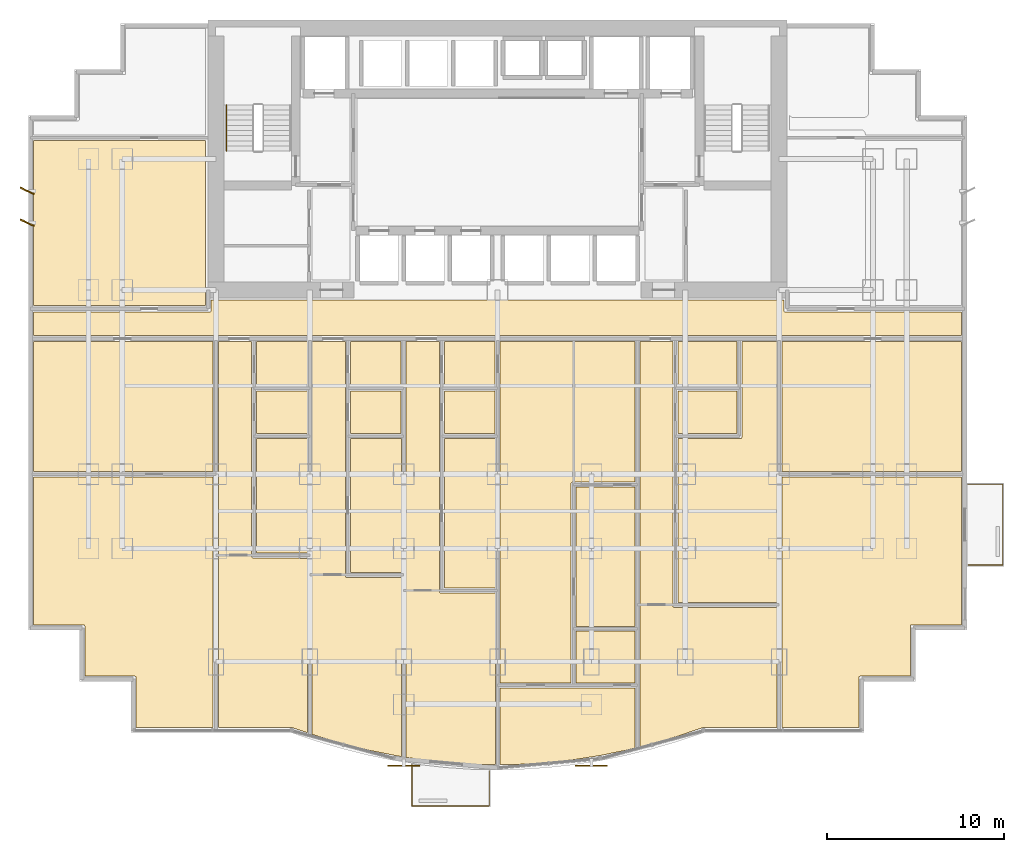
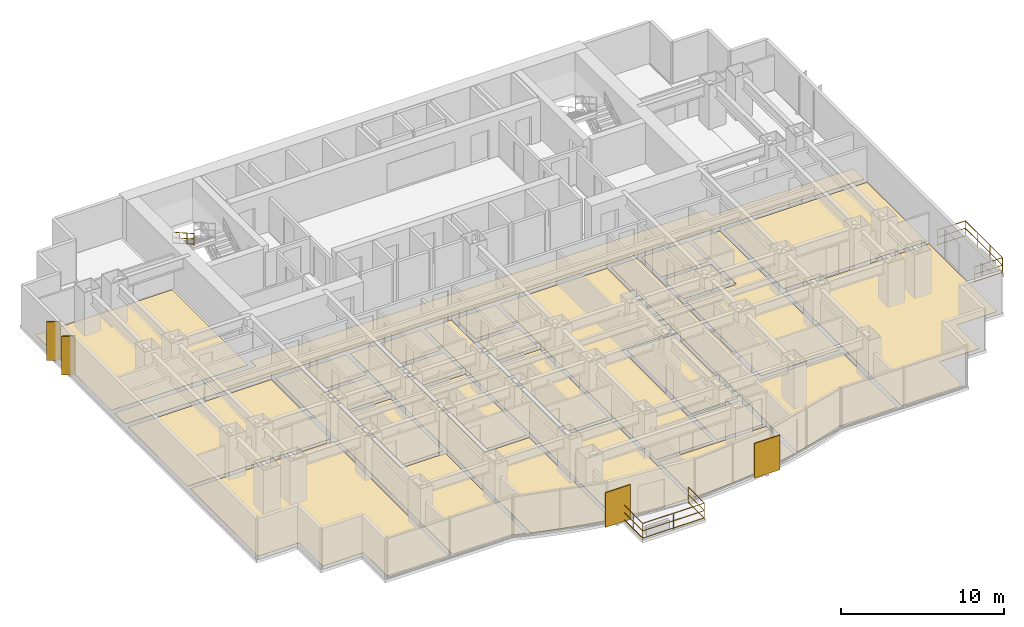
# One storey, part 9 of 10: 26 coverings, 4 shading devices, 3 railings.
"""IFC4 building model written with IfcOpenShell, lengths in metres."""

from ifc_helpers import new_model, si_unit, direction, frame, origin, origin_2d, place, context, subcontext, project, spatial, polyline, rectangle, circle, outline, extrude, source, transform, mapped, material, layer, layer_set, type_object, element, save


model = new_model("IFC4")

# Units and contexts
model_context = context("Model", 3, precision=1e-05, world=origin(), true_north=direction((0.0, 1.0)))
body_context = subcontext(model_context, "Body", "Model", "MODEL_VIEW")
ifc_project = project(units=[si_unit("LENGTHUNIT", "METRE"), si_unit("AREAUNIT", "SQUARE_METRE"), si_unit("VOLUMEUNIT", "CUBIC_METRE"), si_unit("PLANEANGLEUNIT", "RADIAN"), si_unit("MASSUNIT", "GRAM", prefix="KILO")], contexts=[model_context])

# Site, building, storey
site_placement = place(None, origin())
site = spatial("IfcSite", under=ifc_project, at=site_placement, CompositionType="ELEMENT")
building_placement = place(site_placement, origin())
building = spatial("IfcBuilding", under=site, at=building_placement, Name="Qianlan Lanfeng Residences", CompositionType="ELEMENT")
storey_placement = place(building_placement, frame((0.0, 0.0, 34.10009765625)))
storey = spatial("IfcBuildingStorey", under=building, at=storey_placement, Name="L08", CompositionType="ELEMENT", Elevation=34.10009765625)

# Coverings
ifc_material_1 = material(Name="Honed Taitung Granite Stone Flooring", Category="masonry")
ifc_layer_1 = layer(ifc_material_1, 0.030029296875)
ifc_layer_set_1 = layer_set([ifc_layer_1], Name="Honed Taitung Granite Stone Flooring")
covering_type_1 = type_object("IfcCoveringType", Name="FLR-STN-30", PredefinedType="FLOORING", material=ifc_layer_set_1)
covering_1_placement = place(storey_placement, origin())
element("IfcCovering", 1, at=covering_1_placement, inside=storey, type_object=covering_type_1, Name="L08 Residential Corridor Floor Finish", PredefinedType="FLOORING", context=body_context, shape_type="SweptSolid", body=[
    extrude(outline(polyline([(0.2900390625, 22.6298828125), (52.7099609375, 22.6298828125), (52.7099609375, 23.969970703125), (42.739990234375, 23.969970703125), (42.73291015625, 23.969970703125), (42.72607421875, 23.970947265625), (42.719970703125, 23.972900390625), (42.712890625, 23.97509765625), (42.70703125, 23.97802734375), (42.700927734375, 23.98193359375), (42.696044921875, 23.986083984375), (42.69091796875, 23.990966796875), (42.68603515625, 23.99609375), (42.681884765625, 24.0009765625), (42.677978515625, 24.007080078125), (42.675048828125, 24.012939453125), (42.673095703125, 24.02001953125), (42.6708984375, 24.02587890625), (42.669921875, 24.032958984375), (42.669921875, 24.0400390625), (42.669921875, 24.64990234375), (10.330078125, 24.64990234375), (10.330078125, 24.0400390625), (10.330078125, 24.032958984375), (10.3291015625, 24.02587890625), (10.326904296875, 24.02001953125), (10.324951171875, 24.012939453125), (10.322021484375, 24.007080078125), (10.318115234375, 24.0009765625), (10.31396484375, 23.99609375), (10.30908203125, 23.990966796875), (10.303955078125, 23.986083984375), (10.299072265625, 23.98193359375), (10.29296875, 23.97802734375), (10.287109375, 23.97509765625), (10.280029296875, 23.972900390625), (10.27392578125, 23.970947265625), (10.26708984375, 23.969970703125), (10.260009765625, 23.969970703125), (0.2900390625, 23.969970703125), (0.2900390625, 22.6298828125)])), origin(), (0.0, 0.0, 1.0), 0.02978515625),
])
ifc_material_2 = material(Name="Slip-Resistant Porcelain Tile Flooring")
ifc_layer_2 = layer(ifc_material_2, 0.02001953125)
ifc_layer_set_2 = layer_set([ifc_layer_2], Name="Slip-Resistant Porcelain Tile Flooring")
covering_type_2 = type_object("IfcCoveringType", Name="FLR-TIL-20", PredefinedType="FLOORING", material=ifc_layer_set_2)
covering_2_placement = place(storey_placement, origin())
element("IfcCovering", 2, at=covering_2_placement, inside=storey, type_object=covering_type_2, Name="L08 Kitchen Floor Finish", PredefinedType="FLOORING", context=body_context, shape_type="SweptSolid", body=[
    extrude(outline(polyline([(12.889892578125, 17.090087890625), (15.760009765625, 17.090087890625), (15.760009765625, 19.510009765625), (12.889892578125, 19.510009765625), (12.889892578125, 17.090087890625)])), origin(), (0.0, 0.0, 1.0), 0.02001953125),
])
covering_3_placement = place(storey_placement, origin())
element("IfcCovering", 3, at=covering_3_placement, inside=storey, type_object=covering_type_2, Name="L08 Bathroom Floor Finish", PredefinedType="FLOORING", context=body_context, shape_type="SweptSolid", body=[
    extrude(outline(polyline([(12.889892578125, 19.7900390625), (15.760009765625, 19.7900390625), (15.760009765625, 22.280029296875), (12.889892578125, 22.280029296875), (12.889892578125, 19.7900390625)])), origin(), (0.0, 0.0, 1.0), 0.02001953125),
])
covering_4_placement = place(storey_placement, origin())
element("IfcCovering", 4, at=covering_4_placement, inside=storey, type_object=covering_type_2, Name="L08 Kitchen Floor Finish", PredefinedType="FLOORING", context=body_context, shape_type="SweptSolid", body=[
    extrude(outline(polyline([(18.18994140625, 17.090087890625), (21.06005859375, 17.090087890625), (21.06005859375, 19.510009765625), (18.18994140625, 19.510009765625), (18.18994140625, 17.090087890625)])), origin(), (0.0, 0.0, 1.0), 0.02001953125),
])
covering_5_placement = place(storey_placement, origin())
element("IfcCovering", 5, at=covering_5_placement, inside=storey, type_object=covering_type_2, Name="L08 Bathroom Floor Finish", PredefinedType="FLOORING", context=body_context, shape_type="SweptSolid", body=[
    extrude(outline(polyline([(18.18994140625, 19.7900390625), (21.06005859375, 19.7900390625), (21.06005859375, 22.280029296875), (18.18994140625, 22.280029296875), (18.18994140625, 19.7900390625)])), origin(), (0.0, 0.0, 1.0), 0.02001953125),
])
covering_6_placement = place(storey_placement, origin())
element("IfcCovering", 6, at=covering_6_placement, inside=storey, type_object=covering_type_2, Name="L08 Kitchen Floor Finish", PredefinedType="FLOORING", context=body_context, shape_type="SweptSolid", body=[
    extrude(outline(polyline([(23.489990234375, 17.090087890625), (26.360107421875, 17.090087890625), (26.360107421875, 19.510009765625), (23.489990234375, 19.510009765625), (23.489990234375, 17.090087890625)])), origin(), (0.0, 0.0, 1.0), 0.02001953125),
])
covering_7_placement = place(storey_placement, origin())
element("IfcCovering", 7, at=covering_7_placement, inside=storey, type_object=covering_type_2, Name="L08 Bathroom Floor Finish", PredefinedType="FLOORING", context=body_context, shape_type="SweptSolid", body=[
    extrude(outline(polyline([(23.489990234375, 19.7900390625), (26.360107421875, 19.7900390625), (26.360107421875, 22.280029296875), (23.489990234375, 22.280029296875), (23.489990234375, 19.7900390625)])), origin(), (0.0, 0.0, 1.0), 0.02001953125),
])
covering_8_placement = place(storey_placement, origin())
element("IfcCovering", 8, at=covering_8_placement, inside=storey, type_object=covering_type_2, Name="L08 En-Suite Bathroom Floor Finish", PredefinedType="FLOORING", context=body_context, shape_type="SweptSolid", body=[
    extrude(outline(polyline([(30.93994140625, 3.012939453125), (34.27001953125, 3.012939453125), (34.27001953125, 5.93310546875), (30.93994140625, 5.93310546875), (30.93994140625, 3.012939453125)])), origin(), (0.0, 0.0, 1.0), 0.02001953125),
])
covering_9_placement = place(storey_placement, origin())
element("IfcCovering", 9, at=covering_9_placement, inside=storey, type_object=covering_type_2, Name="L08 Kitchen Floor Finish", PredefinedType="FLOORING", context=body_context, shape_type="SweptSolid", body=[
    extrude(outline(polyline([(36.68994140625, 17.090087890625), (40.010009765625, 17.090087890625), (40.010009765625, 19.510009765625), (36.68994140625, 19.510009765625), (36.68994140625, 17.090087890625)])), origin(), (0.0, 0.0, 1.0), 0.02001953125),
])
covering_10_placement = place(storey_placement, origin())
element("IfcCovering", 10, at=covering_10_placement, inside=storey, type_object=covering_type_2, Name="L08 Bathroom Floor Finish", PredefinedType="FLOORING", context=body_context, shape_type="SweptSolid", body=[
    extrude(outline(polyline([(36.68994140625, 19.7900390625), (40.010009765625, 19.7900390625), (40.010009765625, 22.280029296875), (36.68994140625, 22.280029296875), (36.68994140625, 19.7900390625)])), origin(), (0.0, 0.0, 1.0), 0.02001953125),
])
ifc_material_3 = material(Name="Engineered Smoked Oak Timber Flooring", Category="wood")
ifc_layer_3 = layer(ifc_material_3, 0.02197265625)
ifc_layer_set_3 = layer_set([ifc_layer_3], Name="Engineered Smoked Oak Timber Flooring")
covering_type_3 = type_object("IfcCoveringType", Name="FLR-TIM-22", PredefinedType="FLOORING", material=ifc_layer_set_3)
covering_11_placement = place(storey_placement, origin())
element("IfcCovering", 11, at=covering_11_placement, inside=storey, type_object=covering_type_3, Name="L08 Studio Living Room Floor Finish", PredefinedType="FLOORING", context=body_context, shape_type="SweptSolid", body=[
    extrude(outline(polyline([(15.77001953125, 0.195068359375), (15.77001953125, 10.080078125), (12.679931640625, 10.080078125), (12.673095703125, 10.080078125), (12.666015625, 10.0810546875), (12.659912109375, 10.0830078125), (12.653076171875, 10.0849609375), (12.64697265625, 10.087890625), (12.64111328125, 10.092041015625), (12.635986328125, 10.095947265625), (12.631103515625, 10.10107421875), (12.6259765625, 10.10595703125), (12.6220703125, 10.111083984375), (12.617919921875, 10.116943359375), (12.614990234375, 10.123046875), (12.613037109375, 10.1298828125), (12.611083984375, 10.135986328125), (12.610107421875, 10.14306640625), (12.610107421875, 10.14990234375), (12.610107421875, 22.280029296875), (10.72998046875, 22.280029296875), (10.72998046875, 0.489990234375), (14.885986328125, 0.489990234375), (14.89404296875, 0.489990234375), (14.90087890625, 0.488037109375), (14.908935546875, 0.486083984375), (15.77001953125, 0.195068359375)])), origin(), (0.0, 0.0, 1.0), 0.02197265625),
])
covering_12_placement = place(storey_placement, origin())
element("IfcCovering", 12, at=covering_12_placement, inside=storey, type_object=covering_type_3, Name="L08 Villa Family Sitting Room Floor Finish", PredefinedType="FLOORING", context=body_context, shape_type="SweptSolid", body=[
    extrude(outline(polyline([(12.889892578125, 16.81005859375), (12.889892578125, 10.360107421875), (15.77001953125, 10.360107421875), (15.77001953125, 16.81005859375), (12.889892578125, 16.81005859375)])), origin(), (0.0, 0.0, 1.0), 0.02197265625),
])
covering_13_placement = place(storey_placement, origin())
element("IfcCovering", 13, at=covering_13_placement, inside=storey, type_object=covering_type_3, Name="L08 Studio Living Room Floor Finish", PredefinedType="FLOORING", context=body_context, shape_type="SweptSolid", body=[
    extrude(outline(polyline([(21.070068359375, -1.14404296875), (21.070068359375, 8.971923828125), (17.97998046875, 8.971923828125), (17.972900390625, 8.971923828125), (17.966064453125, 8.972900390625), (17.9599609375, 8.97509765625), (17.952880859375, 8.97705078125), (17.947021484375, 8.97998046875), (17.94091796875, 8.98388671875), (17.93603515625, 8.988037109375), (17.930908203125, 8.992919921875), (17.926025390625, 8.998046875), (17.922119140625, 9.0029296875), (17.91796875, 9.009033203125), (17.9150390625, 9.014892578125), (17.9130859375, 9.02197265625), (17.910888671875, 9.028076171875), (17.909912109375, 9.034912109375), (17.909912109375, 9.0419921875), (17.909912109375, 22.280029296875), (16.030029296875, 22.280029296875), (16.030029296875, 0.10693359375), (16.39306640625, -0.014892578125), (17.837890625, -0.43896484375), (19.282958984375, -0.797119140625), (20.72607421875, -1.090087890625), (21.070068359375, -1.14404296875)])), origin(), (0.0, 0.0, 1.0), 0.02197265625),
])
covering_14_placement = place(storey_placement, origin())
element("IfcCovering", 14, at=covering_14_placement, inside=storey, type_object=covering_type_3, Name="L08 Villa Family Sitting Room Floor Finish", PredefinedType="FLOORING", context=body_context, shape_type="SweptSolid", body=[
    extrude(outline(polyline([(18.18994140625, 16.81005859375), (18.18994140625, 9.251953125), (21.070068359375, 9.251953125), (21.070068359375, 16.81005859375), (18.18994140625, 16.81005859375)])), origin(), (0.0, 0.0, 1.0), 0.02197265625),
])
covering_15_placement = place(storey_placement, origin())
element("IfcCovering", 15, at=covering_15_placement, inside=storey, type_object=covering_type_3, Name="L08 Living and Dining Room Floor Finish", PredefinedType="FLOORING", context=body_context, shape_type="SweptSolid", body=[
    extrude(outline(polyline([(26.3701171875, -1.60693359375), (26.3701171875, 8.093994140625), (23.280029296875, 8.093994140625), (23.27294921875, 8.093994140625), (23.26611328125, 8.094970703125), (23.260009765625, 8.096923828125), (23.2529296875, 8.09912109375), (23.2470703125, 8.10205078125), (23.240966796875, 8.10595703125), (23.236083984375, 8.110107421875), (23.23095703125, 8.114990234375), (23.22607421875, 8.1201171875), (23.221923828125, 8.125), (23.218017578125, 8.131103515625), (23.215087890625, 8.136962890625), (23.212890625, 8.14404296875), (23.2109375, 8.14990234375), (23.2099609375, 8.156982421875), (23.2099609375, 8.1640625), (23.2099609375, 22.280029296875), (21.330078125, 22.280029296875), (21.330078125, -1.18505859375), (22.169921875, -1.318115234375), (23.613037109375, -1.47998046875), (25.056884765625, -1.576904296875), (26.3701171875, -1.60693359375)])), origin(), (0.0, 0.0, 1.0), 0.02197265625),
])
covering_16_placement = place(storey_placement, origin())
element("IfcCovering", 16, at=covering_16_placement, inside=storey, type_object=covering_type_3, Name="L08 Villa Family Sitting Room Floor Finish", PredefinedType="FLOORING", context=body_context, shape_type="SweptSolid", body=[
    extrude(outline(polyline([(23.489990234375, 16.81005859375), (23.489990234375, 8.3740234375), (26.3701171875, 8.3740234375), (26.3701171875, 16.81005859375), (23.489990234375, 16.81005859375)])), origin(), (0.0, 0.0, 1.0), 0.02197265625),
])
covering_17_placement = place(storey_placement, origin())
element("IfcCovering", 17, at=covering_17_placement, inside=storey, type_object=covering_type_3, Name="L08 Private Study Floor Finish", PredefinedType="FLOORING", context=body_context, shape_type="SweptSolid", body=[
    extrude(outline(polyline([(30.93994140625, 6.212890625), (34.27001953125, 6.212890625), (34.27001953125, 14.072021484375), (30.93994140625, 14.072021484375), (30.93994140625, 6.212890625)])), origin(), (0.0, 0.0, 1.0), 0.02197265625),
])
covering_18_placement = place(storey_placement, origin())
element("IfcCovering", 18, at=covering_18_placement, inside=storey, type_object=covering_type_3, Name="L08 Villa Family Sitting Room Floor Finish", PredefinedType="FLOORING", context=body_context, shape_type="SweptSolid", body=[
    extrude(outline(polyline([(26.6298828125, 3.012939453125), (30.659912109375, 3.012939453125), (30.659912109375, 14.281982421875), (30.659912109375, 14.2890625), (30.660888671875, 14.2958984375), (30.6630859375, 14.302001953125), (30.6650390625, 14.30908203125), (30.66796875, 14.31494140625), (30.672119140625, 14.321044921875), (30.676025390625, 14.325927734375), (30.680908203125, 14.3310546875), (30.68603515625, 14.3359375), (30.69091796875, 14.340087890625), (30.697021484375, 14.343994140625), (30.702880859375, 14.346923828125), (30.7099609375, 14.34912109375), (30.716064453125, 14.35107421875), (30.722900390625, 14.35205078125), (30.72998046875, 14.35205078125), (34.27001953125, 14.35205078125), (34.27001953125, 22.280029296875), (26.6298828125, 22.280029296875), (26.6298828125, 3.012939453125)])), origin(), (0.0, 0.0, 1.0), 0.02197265625),
])
covering_19_placement = place(storey_placement, origin())
element("IfcCovering", 19, at=covering_19_placement, inside=storey, type_object=covering_type_3, Name="L08 Master Bedroom Floor Finish", PredefinedType="FLOORING", context=body_context, shape_type="SweptSolid", body=[
    extrude(outline(polyline([(26.6298828125, 2.73291015625), (26.6298828125, -1.60693359375), (27.943115234375, -1.576904296875), (29.385986328125, -1.47998046875), (30.830078125, -1.318115234375), (32.27392578125, -1.090087890625), (33.717041015625, -0.797119140625), (34.27001953125, -0.659912109375), (34.27001953125, 2.73291015625), (26.6298828125, 2.73291015625)])), origin(), (0.0, 0.0, 1.0), 0.02197265625),
])
covering_20_placement = place(storey_placement, origin())
element("IfcCovering", 20, at=covering_20_placement, inside=storey, type_object=covering_type_3, Name="L08 Studio Living Room Floor Finish", PredefinedType="FLOORING", context=body_context, shape_type="SweptSolid", body=[
    extrude(outline(polyline([(42.27001953125, 0.489990234375), (42.27001953125, 7.280029296875), (36.47998046875, 7.280029296875), (36.472900390625, 7.280029296875), (36.466064453125, 7.281005859375), (36.4599609375, 7.282958984375), (36.452880859375, 7.284912109375), (36.447021484375, 7.2880859375), (36.44091796875, 7.2919921875), (36.43603515625, 7.2958984375), (36.430908203125, 7.301025390625), (36.426025390625, 7.305908203125), (36.422119140625, 7.31103515625), (36.41796875, 7.31689453125), (36.4150390625, 7.322998046875), (36.4130859375, 7.330078125), (36.410888671875, 7.3359375), (36.409912109375, 7.343017578125), (36.409912109375, 7.35009765625), (36.409912109375, 22.280029296875), (34.530029296875, 22.280029296875), (34.530029296875, -0.595947265625), (35.160888671875, -0.43896484375), (36.60693359375, -0.014892578125), (38.091064453125, 0.486083984375), (38.09912109375, 0.488037109375), (38.10595703125, 0.489990234375), (38.114013671875, 0.489990234375), (42.27001953125, 0.489990234375)])), origin(), (0.0, 0.0, 1.0), 0.02197265625),
])
covering_21_placement = place(storey_placement, origin())
element("IfcCovering", 21, at=covering_21_placement, inside=storey, type_object=covering_type_3, Name="L08 Villa Family Sitting Room Floor Finish", PredefinedType="FLOORING", context=body_context, shape_type="SweptSolid", body=[
    extrude(outline(polyline([(36.68994140625, 7.56005859375), (42.27001953125, 7.56005859375), (42.27001953125, 22.280029296875), (40.2900390625, 22.280029296875), (40.2900390625, 16.8798828125), (40.2900390625, 16.873046875), (40.2890625, 16.865966796875), (40.287109375, 16.860107421875), (40.284912109375, 16.85302734375), (40.281982421875, 16.846923828125), (40.278076171875, 16.841064453125), (40.27392578125, 16.8359375), (40.26904296875, 16.8310546875), (40.263916015625, 16.825927734375), (40.259033203125, 16.822021484375), (40.2529296875, 16.818115234375), (40.2470703125, 16.81494140625), (40.239990234375, 16.81298828125), (40.23388671875, 16.81103515625), (40.22705078125, 16.81005859375), (40.219970703125, 16.81005859375), (36.68994140625, 16.81005859375), (36.68994140625, 7.56005859375)])), origin(), (0.0, 0.0, 1.0), 0.02197265625),
])
covering_22_placement = place(storey_placement, origin())
element("IfcCovering", 22, at=covering_22_placement, inside=storey, type_object=covering_type_3, Name="L08 Sunroom Floor Finish", PredefinedType="FLOORING", context=body_context, shape_type="SweptSolid", body=[
    extrude(outline(polyline([(10.43994140625, 14.64990234375), (0.2900390625, 14.64990234375), (0.2900390625, 6.2900390625), (3.1201171875, 6.2900390625), (3.126953125, 6.2900390625), (3.134033203125, 6.2890625), (3.139892578125, 6.287109375), (3.14697265625, 6.284912109375), (3.153076171875, 6.281982421875), (3.158935546875, 6.278076171875), (3.1640625, 6.27392578125), (3.1689453125, 6.26904296875), (3.174072265625, 6.263916015625), (3.177978515625, 6.259033203125), (3.181884765625, 6.2529296875), (3.18505859375, 6.2470703125), (3.18701171875, 6.239990234375), (3.18896484375, 6.23388671875), (3.18994140625, 6.22705078125), (3.18994140625, 6.219970703125), (3.18994140625, 3.389892578125), (6.02001953125, 3.389892578125), (6.027099609375, 3.389892578125), (6.033935546875, 3.388916015625), (6.0400390625, 3.386962890625), (6.047119140625, 3.385009765625), (6.052978515625, 3.382080078125), (6.05908203125, 3.3779296875), (6.06396484375, 3.3740234375), (6.069091796875, 3.368896484375), (6.073974609375, 3.364013671875), (6.077880859375, 3.35888671875), (6.08203125, 3.35302734375), (6.0849609375, 3.346923828125), (6.0869140625, 3.340087890625), (6.089111328125, 3.333984375), (6.090087890625, 3.326904296875), (6.090087890625, 3.320068359375), (6.090087890625, 0.489990234375), (10.43994140625, 0.489990234375), (10.43994140625, 14.64990234375)])), origin(), (0.0, 0.0, 1.0), 0.02197265625),
])
covering_23_placement = place(storey_placement, origin())
element("IfcCovering", 23, at=covering_23_placement, inside=storey, type_object=covering_type_3, Name="L08 Family Sitting Room Floor Finish", PredefinedType="FLOORING", context=body_context, shape_type="SweptSolid", body=[
    extrude(outline(polyline([(10.43994140625, 22.280029296875), (0.2900390625, 22.280029296875), (0.2900390625, 14.949951171875), (10.43994140625, 14.949951171875), (10.43994140625, 22.280029296875)])), origin(), (0.0, 0.0, 1.0), 0.02197265625),
])
covering_24_placement = place(storey_placement, origin())
element("IfcCovering", 24, at=covering_24_placement, inside=storey, type_object=covering_type_3, Name="L08 Sunroom Floor Finish", PredefinedType="FLOORING", context=body_context, shape_type="SweptSolid", body=[
    extrude(outline(polyline([(52.7099609375, 14.64990234375), (42.56005859375, 14.64990234375), (42.56005859375, 0.489990234375), (46.909912109375, 0.489990234375), (46.909912109375, 3.320068359375), (46.909912109375, 3.326904296875), (46.910888671875, 3.333984375), (46.9130859375, 3.340087890625), (46.9150390625, 3.346923828125), (46.91796875, 3.35302734375), (46.922119140625, 3.35888671875), (46.926025390625, 3.364013671875), (46.930908203125, 3.368896484375), (46.93603515625, 3.3740234375), (46.94091796875, 3.3779296875), (46.947021484375, 3.382080078125), (46.952880859375, 3.385009765625), (46.9599609375, 3.386962890625), (46.966064453125, 3.388916015625), (46.972900390625, 3.389892578125), (46.97998046875, 3.389892578125), (49.81005859375, 3.389892578125), (49.81005859375, 6.219970703125), (49.81005859375, 6.22705078125), (49.81103515625, 6.23388671875), (49.81298828125, 6.239990234375), (49.81494140625, 6.2470703125), (49.818115234375, 6.2529296875), (49.822021484375, 6.259033203125), (49.825927734375, 6.263916015625), (49.8310546875, 6.26904296875), (49.8359375, 6.27392578125), (49.841064453125, 6.278076171875), (49.846923828125, 6.281982421875), (49.85302734375, 6.284912109375), (49.860107421875, 6.287109375), (49.865966796875, 6.2890625), (49.873046875, 6.2900390625), (49.8798828125, 6.2900390625), (52.7099609375, 6.2900390625), (52.7099609375, 14.64990234375)])), origin(), (0.0, 0.0, 1.0), 0.02197265625),
])
covering_25_placement = place(storey_placement, origin())
element("IfcCovering", 25, at=covering_25_placement, inside=storey, type_object=covering_type_3, Name="L08 Private Study Floor Finish", PredefinedType="FLOORING", context=body_context, shape_type="SweptSolid", body=[
    extrude(outline(polyline([(52.7099609375, 22.280029296875), (42.56005859375, 22.280029296875), (42.56005859375, 14.949951171875), (52.7099609375, 14.949951171875), (52.7099609375, 22.280029296875)])), origin(), (0.0, 0.0, 1.0), 0.02197265625),
])
covering_26_placement = place(storey_placement, origin())
element("IfcCovering", 26, at=covering_26_placement, inside=storey, type_object=covering_type_3, Name="L08 Conservatory Salon Floor Finish", PredefinedType="FLOORING", context=body_context, shape_type="SweptSolid", body=[
    extrude(outline(polyline([(10.0, 33.64990234375), (0.2900390625, 33.64990234375), (0.2900390625, 24.330078125), (10.0, 24.330078125), (10.0, 33.64990234375)])), origin(), (0.0, 0.0, 1.0), 0.02197265625),
])

# Railings
ifc_material_4 = material(Name="Anodised Bronze Aluminium and Laminated Glass Guard Balustrade", Category="aluminium")
railing_type_1 = type_object("IfcRailingType", Name="GR-EXT-1220", PredefinedType="BALUSTRADE", material=ifc_material_4)
railing_1_placement = place(storey_placement, frame((26.030029296875, -1.958984375, 0.0)))
element("IfcRailing", 27, at=railing_1_placement, inside=storey, type_object=railing_type_1, Name="L08 Terrace Safety Guard GR-L08-SB-C", PredefinedType="BALUSTRADE", context=body_context, shape_type="SweptSolid", body=[
    extrude(circle(Radius=0.02490234375, at=origin_2d()), frame((0.0, 0.0, 0.0849609375), z_axis=(0.0, -1.0, 0.0), x_axis=(1.0, 0.0, 0.0)), (0.0, 0.0, 1.0), 1.970947265625),
    extrude(circle(Radius=0.02490234375, at=origin_2d()), frame((0.0, 0.0, 0.63427734375), z_axis=(0.0, -1.0, 0.0), x_axis=(1.0, 0.0, 0.0)), (0.0, 0.0, 1.0), 1.970947265625),
    extrude(circle(Radius=0.02490234375, at=origin_2d()), frame((0.0, 0.0, 1.19482421875), z_axis=(0.0, -1.0, 0.0), x_axis=(1.0, 0.0, 0.0)), (0.0, 0.0, 1.0), 1.970947265625),
    extrude(circle(Radius=0.02490234375, at=origin_2d()), frame((0.0, -1.970947265625, 0.0849609375), z_axis=(-1.0, 0.0, 0.0), x_axis=(0.0, -1.0, 0.0)), (0.0, 0.0, 1.0), 4.360107421875),
    extrude(circle(Radius=0.02490234375, at=origin_2d()), frame((0.0, -1.970947265625, 0.63427734375), z_axis=(-1.0, 0.0, 0.0), x_axis=(0.0, -1.0, 0.0)), (0.0, 0.0, 1.0), 4.360107421875),
    extrude(circle(Radius=0.02490234375, at=origin_2d()), frame((0.0, -1.970947265625, 1.19482421875), z_axis=(-1.0, 0.0, 0.0), x_axis=(0.0, -1.0, 0.0)), (0.0, 0.0, 1.0), 4.360107421875),
    extrude(circle(Radius=0.02490234375, at=origin_2d()), frame((-4.360107421875, -1.970947265625, 0.0849609375), z_axis=(0.0, 1.0, 0.0), x_axis=(-1.0, 0.0, 0.0)), (0.0, 0.0, 1.0), 2.326904296875),
    extrude(circle(Radius=0.02490234375, at=origin_2d()), frame((-4.360107421875, -1.970947265625, 0.63427734375), z_axis=(0.0, 1.0, 0.0), x_axis=(-1.0, 0.0, 0.0)), (0.0, 0.0, 1.0), 2.326904296875),
    extrude(circle(Radius=0.02490234375, at=origin_2d()), frame((-4.360107421875, -1.970947265625, 1.19482421875), z_axis=(0.0, 1.0, 0.0), x_axis=(-1.0, 0.0, 0.0)), (0.0, 0.0, 1.0), 2.326904296875),
    extrude(circle(Radius=0.02099609375, at=origin_2d()), origin(), (0.0, 0.0, 1.0), 1.169921875),
    extrude(circle(Radius=0.02099609375, at=origin_2d()), frame((0.0, -1.970947265625, 0.0)), (0.0, 0.0, 1.0), 1.169921875),
    extrude(circle(Radius=0.02099609375, at=origin_2d()), frame((-2.18017578125, -1.970947265625, 0.0)), (0.0, 0.0, 1.0), 1.169921875),
    extrude(circle(Radius=0.02099609375, at=origin_2d()), frame((-4.360107421875, -1.970947265625, 0.0)), (0.0, 0.0, 1.0), 1.169921875),
    extrude(circle(Radius=0.02099609375, at=origin_2d()), frame((-4.360107421875, -0.8076171875, 0.0)), (0.0, 0.0, 1.0), 1.169921875),
    extrude(circle(Radius=0.02099609375, at=origin_2d()), frame((-4.360107421875, 0.35595703125, 0.0)), (0.0, 0.0, 1.0), 1.169921875),
])
railing_2_placement = place(storey_placement, frame((53.070068359375, 14.22998046875, 0.0)))
element("IfcRailing", 28, at=railing_2_placement, inside=storey, type_object=railing_type_1, Name="L08 Terrace Safety Guard GR-L08-EB-S", PredefinedType="BALUSTRADE", context=body_context, shape_type="SweptSolid", body=[
    extrude(circle(Radius=0.02490234375, at=origin_2d()), frame((0.0, 0.0, 0.0849609375), z_axis=(1.0, 0.0, 0.0), x_axis=(0.0, 1.0, 0.0)), (0.0, 0.0, 1.0), 1.9599609375),
    extrude(circle(Radius=0.02490234375, at=origin_2d()), frame((0.0, 0.0, 0.63427734375), z_axis=(1.0, 0.0, 0.0), x_axis=(0.0, 1.0, 0.0)), (0.0, 0.0, 1.0), 1.9599609375),
    extrude(circle(Radius=0.02490234375, at=origin_2d()), frame((0.0, 0.0, 1.19482421875), z_axis=(1.0, 0.0, 0.0), x_axis=(0.0, 1.0, 0.0)), (0.0, 0.0, 1.0), 1.9599609375),
    extrude(circle(Radius=0.02490234375, at=origin_2d()), frame((1.9599609375, 0.0, 0.0849609375), z_axis=(0.0, -1.0, 0.0), x_axis=(1.0, 0.0, 0.0)), (0.0, 0.0, 1.0), 4.56005859375),
    extrude(circle(Radius=0.02490234375, at=origin_2d()), frame((1.9599609375, 0.0, 0.63427734375), z_axis=(0.0, -1.0, 0.0), x_axis=(1.0, 0.0, 0.0)), (0.0, 0.0, 1.0), 4.56005859375),
    extrude(circle(Radius=0.02490234375, at=origin_2d()), frame((1.9599609375, 0.0, 1.19482421875), z_axis=(0.0, -1.0, 0.0), x_axis=(1.0, 0.0, 0.0)), (0.0, 0.0, 1.0), 4.56005859375),
    extrude(circle(Radius=0.02490234375, at=origin_2d()), frame((1.9599609375, -4.56005859375, 0.0849609375), z_axis=(-1.0, 0.0, 0.0), x_axis=(0.0, -1.0, 0.0)), (0.0, 0.0, 1.0), 1.9599609375),
    extrude(circle(Radius=0.02490234375, at=origin_2d()), frame((1.9599609375, -4.56005859375, 0.63427734375), z_axis=(-1.0, 0.0, 0.0), x_axis=(0.0, -1.0, 0.0)), (0.0, 0.0, 1.0), 1.9599609375),
    extrude(circle(Radius=0.02490234375, at=origin_2d()), frame((1.9599609375, -4.56005859375, 1.19482421875), z_axis=(-1.0, 0.0, 0.0), x_axis=(0.0, -1.0, 0.0)), (0.0, 0.0, 1.0), 1.9599609375),
    extrude(circle(Radius=0.02099609375, at=origin_2d()), origin(), (0.0, 0.0, 1.0), 1.169921875),
    extrude(circle(Radius=0.02099609375, at=origin_2d()), frame((1.9599609375, 0.0, 0.0)), (0.0, 0.0, 1.0), 1.169921875),
    extrude(circle(Radius=0.02099609375, at=origin_2d()), frame((1.9599609375, -1.52001953125, 0.0)), (0.0, 0.0, 1.0), 1.169921875),
    extrude(circle(Radius=0.02099609375, at=origin_2d()), frame((1.9599609375, -3.0400390625, 0.0)), (0.0, 0.0, 1.0), 1.169921875),
    extrude(circle(Radius=0.02099609375, at=origin_2d()), frame((1.9599609375, -4.56005859375, 0.0)), (0.0, 0.0, 1.0), 1.169921875),
    extrude(circle(Radius=0.02099609375, at=origin_2d()), frame((0.0, -4.56005859375, 0.0)), (0.0, 0.0, 1.0), 1.169921875),
])
ifc_material_5 = material(Name="Brushed Stainless Steel Handrail", Category="steel")
railing_type_2 = type_object("IfcRailingType", Name="HR-ST-920", PredefinedType="HANDRAIL", material=ifc_material_5)
railing_3_placement = place(storey_placement, frame((11.18994140625, 35.659912109375, 1.81494140625)))
element("IfcRailing", 29, at=railing_3_placement, inside=storey, type_object=railing_type_2, Name="L08 ST-1 stair handrail 2", PredefinedType="HANDRAIL", context=body_context, shape_type="SweptSolid", body=[
    extrude(circle(Radius=0.02392578125, at=origin_2d()), frame((0.0, 0.0, 0.083984375), z_axis=(0.0, -0.869172267526, 0.494509422927), x_axis=(1.0, 0.0, 0.0)), (0.0, 0.0, 1.0), 3.002685546875),
    extrude(circle(Radius=0.02392578125, at=origin_2d()), frame((0.0, 0.0, 0.468017578125), z_axis=(0.0, -0.869172267526, 0.494509422927), x_axis=(1.0, 0.0, 0.0)), (0.0, 0.0, 1.0), 3.002685546875),
    extrude(circle(Radius=0.02392578125, at=origin_2d()), frame((0.0, 0.0, 0.8759765625), z_axis=(0.0, -0.869172267526, 0.494509422927), x_axis=(1.0, 0.0, 0.0)), (0.0, 0.0, 1.0), 3.002685546875),
    extrude(circle(Radius=0.02099609375, at=origin_2d()), origin(), (0.0, 0.0, 1.0), 0.851806640625),
    extrude(circle(Radius=0.02099609375, at=origin_2d()), frame((0.0, -0.869873046875, 0.494873046875)), (0.0, 0.0, 1.0), 0.851806640625),
    extrude(circle(Radius=0.02099609375, at=origin_2d()), frame((0.0, -1.739990234375, 0.989990234375)), (0.0, 0.0, 1.0), 0.851806640625),
    extrude(circle(Radius=0.02099609375, at=origin_2d()), frame((0.0, -2.60986328125, 1.48486328125)), (0.0, 0.0, 1.0), 0.851806640625),
])

# Shading devices
ifc_material_6 = material(Name="Perforated Bronze Aluminium Solar Screen", Category="aluminium")
shading_device_type_1 = type_object("IfcShadingDeviceType", Name="SCR-BRZ-1800", PredefinedType="JALOUSIE", material=ifc_material_6)
shared_shape_1 = source(origin(), body_context, "Body", "SweptSolid", [
    extrude(rectangle(XDim=1.800048828125, YDim=0.06005859375, at=origin_2d()), origin(), (0.0, 0.0, 1.0), 2.60009765625),
])
for number, where, z_axis, x_axis, name in (
    (30, (21.199951171875, -1.659912109375, -0.000244140625), (0.0, 0.0, 1.0), (1.0, 0.0, 0.0), "L08 Perforated Bronze Solar Screen 1"),
    (31, (31.800048828125, -1.659912109375, -0.000244140625), (0.0, 0.0, 1.0), (1.0, 0.0, 0.0), "L08 Perforated Bronze Solar Screen 2"),
):
    element("IfcShadingDevice", number, at=place(storey_placement, frame(where, z_axis=z_axis, x_axis=x_axis)), inside=storey, type_object=shading_device_type_1, Name=name, PredefinedType="JALOUSIE", context=body_context, shape_type="MappedRepresentation", body=[
        mapped(shared_shape_1, transform((0.0, 0.0, 0.0), scale=1.0)),
    ])
ifc_material_7 = material(Name="Anodised Bronze Aluminium Solar Fin", Category="aluminium")
shading_device_type_2 = type_object("IfcShadingDeviceType", Name="FIN-BRZ-850", PredefinedType="SHUTTER", material=ifc_material_7)
shared_shape_2 = source(origin(), body_context, "Body", "SweptSolid", [
    extrude(rectangle(XDim=0.85009765625, YDim=0.080078125, at=origin_2d()), origin(), (0.0, 0.0, 1.0), 2.89990234375),
])
for number, where, z_axis, x_axis, name in (
    (32, (-0.070068359375, 29.0, 0.0), (0.0, 0.0, 1.0), (0.898794046299, -0.438371146789, 0.0), "L08 Raked Bronze Solar Fin W1"),
    (33, (-0.070068359375, 30.800048828125, 0.0), (0.0, 0.0, 1.0), (0.898794046299, -0.438371146789, 0.0), "L08 Raked Bronze Solar Fin W2"),
):
    element("IfcShadingDevice", number, at=place(storey_placement, frame(where, z_axis=z_axis, x_axis=x_axis)), inside=storey, type_object=shading_device_type_2, Name=name, PredefinedType="SHUTTER", context=body_context, shape_type="MappedRepresentation", body=[
        mapped(shared_shape_2, transform((0.0, 0.0, 0.0), scale=1.0)),
    ])

save(model, "model.ifc")
